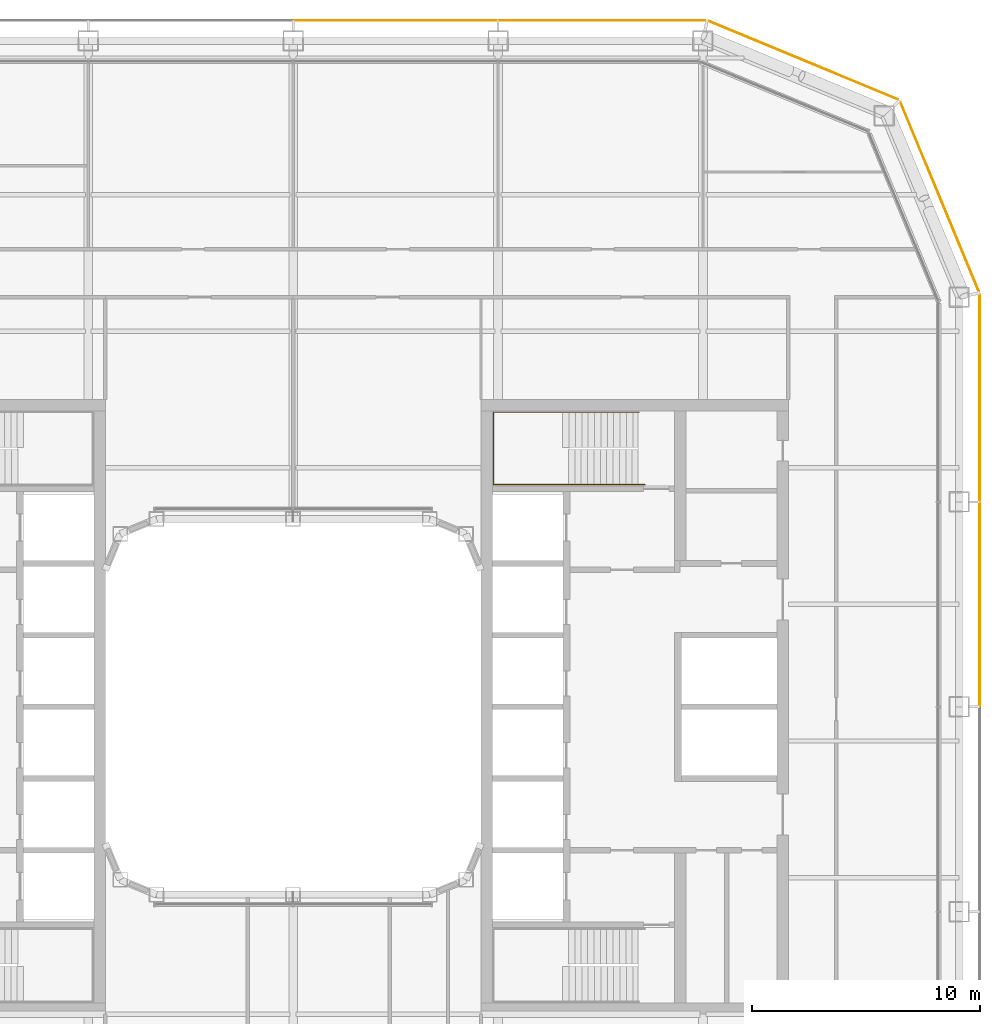
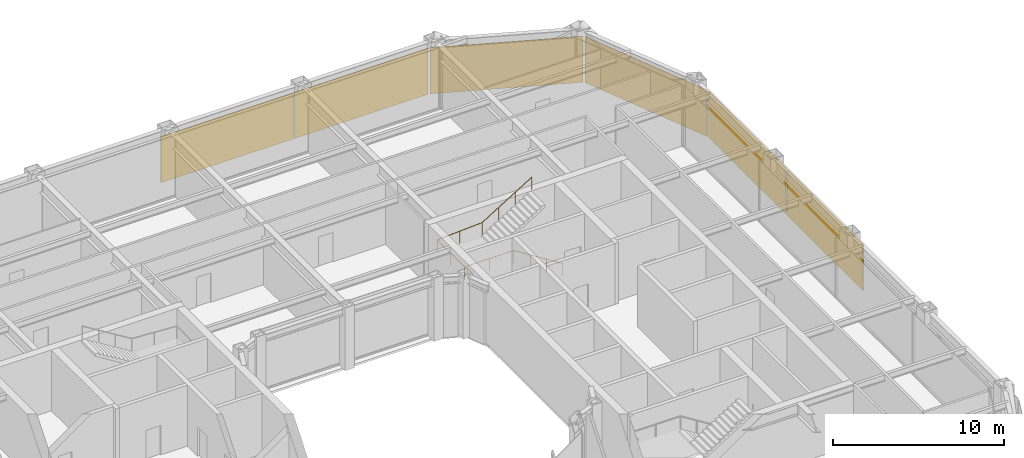
# One storey, part 21 of 21: 6 coverings, 1 railing.
"""IFC4 building model written with IfcOpenShell, lengths in metres."""

from ifc_helpers import new_model, si_unit, direction, frame, origin, origin_2d, place, context, subcontext, project, spatial, rectangle, circle, extrude, material, layer, layer_set, type_object, element, save


model = new_model("IFC4")

# Units and contexts
model_context = context("Model", 3, precision=1e-05, world=origin(), true_north=direction((0.0, 1.0)))
body_context = subcontext(model_context, "Body", "Model", "MODEL_VIEW")
ifc_project = project(units=[si_unit("LENGTHUNIT", "METRE"), si_unit("AREAUNIT", "SQUARE_METRE"), si_unit("VOLUMEUNIT", "CUBIC_METRE"), si_unit("PLANEANGLEUNIT", "RADIAN"), si_unit("MASSUNIT", "GRAM", prefix="KILO")], contexts=[model_context])

# Site, building, storey
site_placement = place(None, origin())
site = spatial("IfcSite", under=ifc_project, at=site_placement, CompositionType="ELEMENT")
building_placement = place(site_placement, origin())
building = spatial("IfcBuilding", under=site, at=building_placement, Name="Siwar Civic Tower", CompositionType="ELEMENT")
storey_placement = place(building_placement, frame((0.0, 0.0, 158.699951171875)))
storey = spatial("IfcBuildingStorey", under=building, at=storey_placement, Name="L34", CompositionType="ELEMENT", Elevation=158.699951171875)

# Railing
ifc_material_1 = material(Name="Stainless steel", Category="steel")
railing_type = type_object("IfcRailingType", Name="CORE-STAIR-HANDRAIL", PredefinedType="HANDRAIL", material=ifc_material_1)
railing_placement = place(storey_placement, frame((15.449951171875, 9.758056640625, 0.173095703125)))
element("IfcRailing", 1, at=railing_placement, inside=storey, type_object=railing_type, Name="Stair handrail ST3", PredefinedType="HANDRAIL", context=body_context, shape_type="SweptSolid", body=[
    extrude(circle(Radius=0.02001953125, at=origin_2d()), frame((0.0, 0.0, 0.8798828125), z_axis=(-0.847063342986, 0.0, 0.531491950051), x_axis=(0.0, -1.0, 0.0)), (0.0, 0.0, 1.0), 3.90771484375),
    extrude(circle(Radius=0.02001953125, at=origin_2d()), frame((-3.31005859375, 0.0, 2.956787109375), z_axis=(-1.0, 0.0, 0.0), x_axis=(0.0, -1.0, 0.0)), (0.0, 0.0, 1.0), 3.331787109375),
    extrude(circle(Radius=0.02001953125, at=origin_2d()), frame((-6.641845703125, 0.0, 2.956787109375), z_axis=(0.0, 1.0, 0.0), x_axis=(-1.0, 0.0, 0.0)), (0.0, 0.0, 1.0), 3.183837890625),
    extrude(circle(Radius=0.02001953125, at=origin_2d()), frame((-6.641845703125, 3.183837890625, 2.956787109375), z_axis=(0.99837434197, 0.0, 0.056997134106), x_axis=(0.0, 1.0, 0.0)), (0.0, 0.0, 1.0), 3.036865234375),
    extrude(circle(Radius=0.02001953125, at=origin_2d()), frame((-3.60986328125, 3.183837890625, 3.1298828125), z_axis=(0.850606129759, 0.0, 0.525803396734), x_axis=(0.0, 1.0, 0.0)), (0.0, 0.0, 1.0), 3.949951171875),
    extrude(circle(Radius=0.02001953125, at=origin_2d()), origin(), (0.0, 0.0, 1.0), 0.85986328125),
    extrude(circle(Radius=0.02001953125, at=origin_2d()), frame((-1.103271484375, 0.0, 0.6923828125)), (0.0, 0.0, 1.0), 0.85986328125),
    extrude(circle(Radius=0.02001953125, at=origin_2d()), frame((-2.206787109375, 0.0, 1.384521484375)), (0.0, 0.0, 1.0), 0.85986328125),
    extrude(circle(Radius=0.02001953125, at=origin_2d()), frame((-3.31005859375, 0.0, 2.076904296875)), (0.0, 0.0, 1.0), 0.85986328125),
    extrude(circle(Radius=0.02001953125, at=origin_2d()), frame((-4.97607421875, 0.0, 2.076904296875)), (0.0, 0.0, 1.0), 0.85986328125),
    extrude(circle(Radius=0.02001953125, at=origin_2d()), frame((-6.641845703125, 0.0, 2.076904296875)), (0.0, 0.0, 1.0), 0.85986328125),
    extrude(circle(Radius=0.02001953125, at=origin_2d()), frame((-6.641845703125, 1.591796875, 2.076904296875)), (0.0, 0.0, 1.0), 0.85986328125),
    extrude(circle(Radius=0.02001953125, at=origin_2d()), frame((-6.641845703125, 3.183837890625, 2.076904296875)), (0.0, 0.0, 1.0), 0.85986328125),
    extrude(circle(Radius=0.02001953125, at=origin_2d()), frame((-5.1259765625, 3.183837890625, 2.16357421875)), (0.0, 0.0, 1.0), 0.85986328125),
    extrude(circle(Radius=0.02001953125, at=origin_2d()), frame((-3.60986328125, 3.183837890625, 2.25)), (0.0, 0.0, 1.0), 0.85986328125),
    extrude(circle(Radius=0.02001953125, at=origin_2d()), frame((-2.489990234375, 3.183837890625, 2.9423828125)), (0.0, 0.0, 1.0), 0.85986328125),
    extrude(circle(Radius=0.02001953125, at=origin_2d()), frame((-1.369873046875, 3.183837890625, 3.634521484375)), (0.0, 0.0, 1.0), 0.85986328125),
    extrude(circle(Radius=0.02001953125, at=origin_2d()), frame((-0.25, 3.183837890625, 4.326904296875)), (0.0, 0.0, 1.0), 0.85986328125),
])

# Coverings
ifc_material_2 = material(Name="Perforated aluminium cassette, pale metal", Category="aluminium")
ifc_layer = layer(ifc_material_2, 0.0400390625)
ifc_layer_set = layer_set([ifc_layer], Name="Perforated aluminium cassette, pale metal")
covering_type = type_object("IfcCoveringType", Name="ENV-OUTER SKIN OS-1", PredefinedType="CLADDING", material=ifc_layer_set)
covering_1_placement = place(storey_placement, frame((30.14990234375, 4.5, -0.14990234375), z_axis=(0.0, 0.0, 1.0), x_axis=(0.0, 1.0, 0.0)))
element("IfcCovering", 2, at=covering_1_placement, inside=storey, type_object=covering_type, Name="OUTER SKIN OS-1 E 3", PredefinedType="CLADDING", context=body_context, shape_type="SweptSolid", body=[
    extrude(rectangle(XDim=8.89990234375, YDim=0.0400390625, at=origin_2d()), origin(), (0.0, 0.0, 1.0), 3.300048828125),
])
covering_2_placement = place(storey_placement, frame((30.14990234375, 13.57958984375, -0.14990234375), z_axis=(0.0, 0.0, 1.0), x_axis=(0.0, 1.0, 0.0)))
element("IfcCovering", 3, at=covering_2_placement, inside=storey, type_object=covering_type, Name="OUTER SKIN OS-1 E 4", PredefinedType="CLADDING", context=body_context, shape_type="SweptSolid", body=[
    extrude(rectangle(XDim=9.05908203125, YDim=0.0400390625, at=origin_2d()), origin(), (0.0, 0.0, 1.0), 3.300048828125),
])
for number, where, z_axis, x_axis, name in (
    (4, (28.39697265625, 22.411376953125, -0.14990234375), (0.0, 0.0, 1.0), (-0.382683432365, 0.923879532511, 0.0), "OUTER SKIN OS-1 NE1 1"),
    (5, (22.411376953125, 28.39697265625, -0.14990234375), (0.0, 0.0, 1.0), (-0.923879532511, 0.382683432365, 0.0), "OUTER SKIN OS-1 NE2 1"),
):
    element("IfcCovering", number, at=place(storey_placement, frame(where, z_axis=z_axis, x_axis=x_axis)), inside=storey, type_object=covering_type, Name=name, PredefinedType="CLADDING", context=body_context, shape_type="SweptSolid", body=[
        extrude(rectangle(XDim=9.022216796875, YDim=0.0400390625, at=origin_2d()), origin(), (0.0, 0.0, 1.0), 3.300048828125),
    ])
covering_3_placement = place(storey_placement, frame((13.57958984375, 30.14990234375, -0.14990234375), z_axis=(0.0, 0.0, 1.0), x_axis=(-1.0, 0.0, 0.0)))
element("IfcCovering", 6, at=covering_3_placement, inside=storey, type_object=covering_type, Name="OUTER SKIN OS-1 N 1", PredefinedType="CLADDING", context=body_context, shape_type="SweptSolid", body=[
    extrude(rectangle(XDim=9.05908203125, YDim=0.0400390625, at=origin_2d()), origin(), (0.0, 0.0, 1.0), 3.300048828125),
])
covering_4_placement = place(storey_placement, frame((4.5, 30.14990234375, -0.14990234375), z_axis=(0.0, 0.0, 1.0), x_axis=(-1.0, 0.0, 0.0)))
element("IfcCovering", 7, at=covering_4_placement, inside=storey, type_object=covering_type, Name="OUTER SKIN OS-1 N 2", PredefinedType="CLADDING", context=body_context, shape_type="SweptSolid", body=[
    extrude(rectangle(XDim=8.89990234375, YDim=0.0400390625, at=origin_2d()), origin(), (0.0, 0.0, 1.0), 3.300048828125),
])

save(model, "model.ifc")
